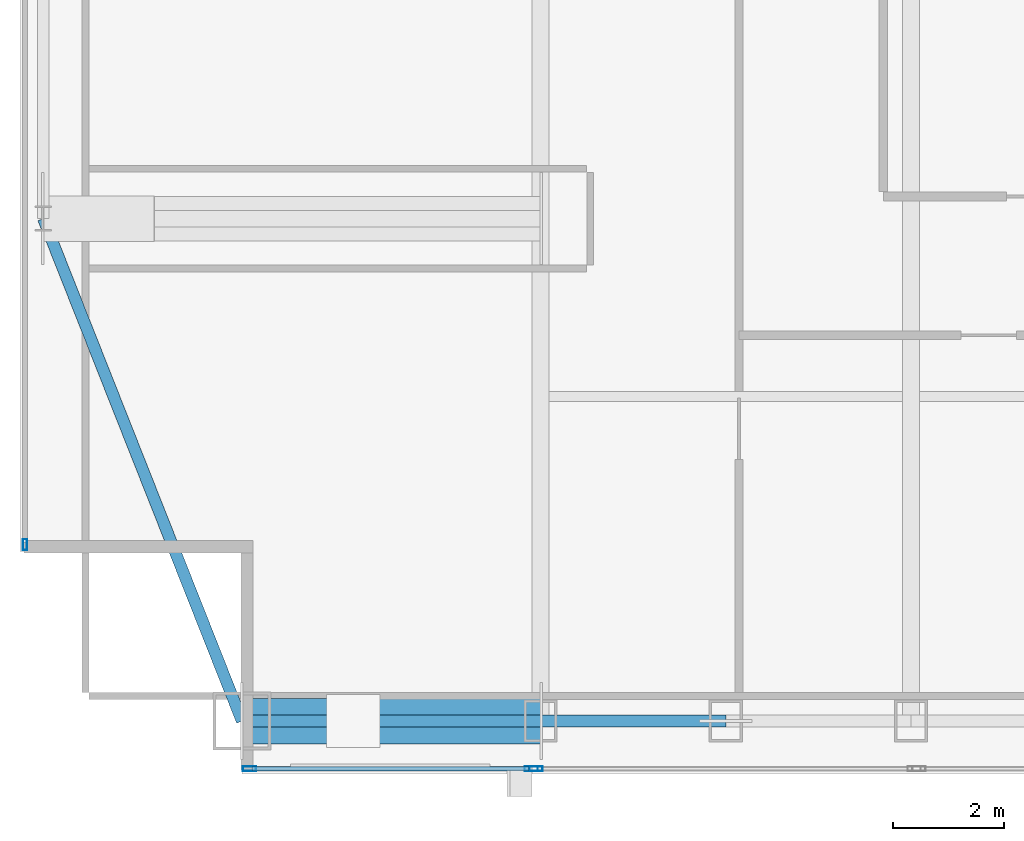
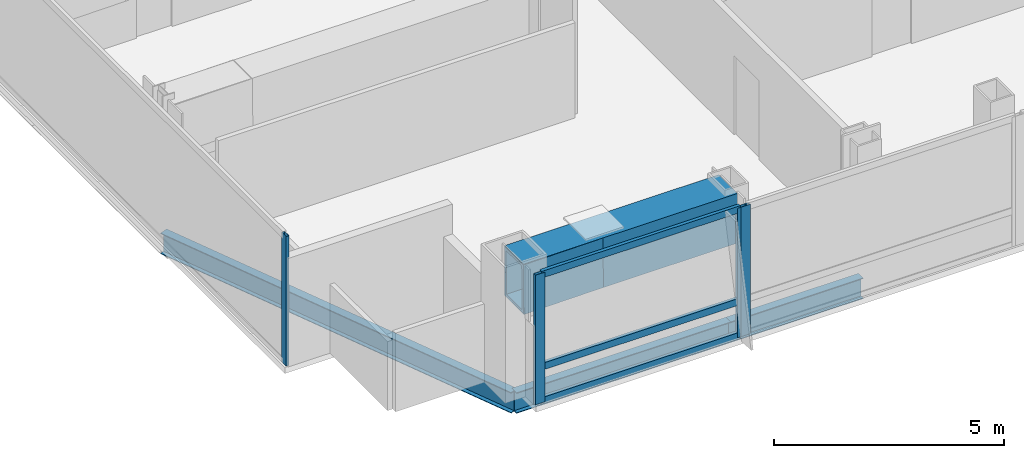
# One storey, part 5 of 26: 7 members, 5 beams, 3 elements without a shape of their own.
"""IFC4 building model written with IfcOpenShell, lengths in metres."""

from ifc_helpers import new_model, si_unit, direction, frame, origin, origin_2d, place, context, subcontext, project, spatial, hollow_rectangle, i_section, extrude, material, material_profile, profile_set, type_object, element, aggregate, save


model = new_model("IFC4")

# Units and contexts
model_context = context("Model", 3, precision=1e-05, world=origin(), true_north=direction((0.0, 1.0)))
body_context = subcontext(model_context, "Body", "Model", "MODEL_VIEW")
ifc_project = project(units=[si_unit("LENGTHUNIT", "METRE"), si_unit("AREAUNIT", "SQUARE_METRE"), si_unit("VOLUMEUNIT", "CUBIC_METRE"), si_unit("PLANEANGLEUNIT", "RADIAN"), si_unit("MASSUNIT", "GRAM", prefix="KILO")], contexts=[model_context])

# Site, building, storey
site_placement = place(None, origin())
site = spatial("IfcSite", under=ifc_project, at=site_placement, CompositionType="ELEMENT")
building_placement = place(site_placement, origin())
building = spatial("IfcBuilding", under=site, at=building_placement, Name="Khoronbel Lancet Exchange", CompositionType="ELEMENT")
storey_placement = place(building_placement, frame((0.0, 0.0, 287.800048828125)))
storey = spatial("IfcBuildingStorey", under=building, at=storey_placement, Name="L74", CompositionType="ELEMENT", Elevation=287.800048828125)

# Beams
ifc_material_1 = material(Name="Steel S355", Category="steel")
ifc_material_profile_1 = material_profile(ifc_material_1, i_section(OverallWidth=0.2099609375, OverallDepth=0.550048828125, WebThickness=0.010986328125, FlangeThickness=0.01708984375, at=origin_2d()), Name="IPE 550")
ifc_profile_set_1 = profile_set([ifc_material_profile_1], Name="Steel S355")
beam_type_1 = type_object("IfcBeamType", Name="BM-BSP3", PredefinedType="SPANDREL", material=ifc_profile_set_1)
beam_1_placement = place(storey_placement, frame((12.85009765625, 10.14990234375, -0.43505859375), z_axis=(1.0, 0.0, 0.0), x_axis=(0.0, 1.0, 0.0)))
element("IfcBeam", 1, at=beam_1_placement, inside=storey, type_object=beam_type_1, Name="Level L74 perimeter spandrel beam SP01", PredefinedType="SPANDREL", context=body_context, shape_type="SweptSolid", body=[
    extrude(i_section(OverallWidth=0.2099609375, OverallDepth=0.550048828125, WebThickness=0.010986328125, FlangeThickness=0.01708984375, at=origin_2d()), origin(), (0.0, 0.0, 1.0), 5.375),
])
beam_2_placement = place(storey_placement, frame((18.22509765625, 10.14990234375, -0.43505859375), z_axis=(1.0, 0.0, 0.0), x_axis=(0.0, 1.0, 0.0)))
element("IfcBeam", 2, at=beam_2_placement, inside=storey, type_object=beam_type_1, Name="Level L74 perimeter spandrel beam SP02", PredefinedType="SPANDREL", context=body_context, shape_type="SweptSolid", body=[
    extrude(i_section(OverallWidth=0.2099609375, OverallDepth=0.550048828125, WebThickness=0.010986328125, FlangeThickness=0.01708984375, at=origin_2d()), origin(), (0.0, 0.0, 1.0), 3.33740234375),
])
beam_3_placement = place(storey_placement, frame((9.27001953125, 19.199951171875, -0.43505859375), z_axis=(0.367850095026, -0.92988510451, 0.0), x_axis=(0.92988510451, 0.367850095026, 0.0)))
element("IfcBeam", 3, at=beam_3_placement, inside=storey, type_object=beam_type_1, Name="Level L74 perimeter spandrel beam SP21", PredefinedType="SPANDREL", context=body_context, shape_type="SweptSolid", body=[
    extrude(i_section(OverallWidth=0.2099609375, OverallDepth=0.550048828125, WebThickness=0.010986328125, FlangeThickness=0.01708984375, at=origin_2d()), origin(), (0.0, 0.0, 1.0), 9.732421875),
])
ifc_material_2 = material(Name="Steel S460", Category="steel")
ifc_material_profile_2 = material_profile(ifc_material_2, hollow_rectangle(XDim=0.820068359375, YDim=1.320068359375, WallThickness=0.070068359375, at=origin_2d()), Name="BOX 820x1320x70")
ifc_profile_set_2 = profile_set([ifc_material_profile_2], Name="Steel S460")
beam_type_2 = type_object("IfcBeamType", Name="BM-TG4", PredefinedType="USERDEFINED", material=ifc_profile_set_2)
beam_4_placement = place(storey_placement, frame((12.85009765625, 10.14990234375, 2.760009765625), z_axis=(0.99994990606, 0.0, 0.010009264196), x_axis=(0.0, 1.0, 0.0)))
element("IfcBeam", 4, at=beam_4_placement, inside=storey, type_object=beam_type_2, Name="Setback transfer knee-brace girder L74-MC-SW", ObjectType="TRANSFER GIRDER", PredefinedType="USERDEFINED", context=body_context, shape_type="SweptSolid", body=[
    extrude(hollow_rectangle(XDim=0.820068359375, YDim=1.320068359375, WallThickness=0.070068359375, at=origin_2d()), origin(), (0.0, 0.0, 1.0), 2.0),
])
beam_5_placement = place(storey_placement, frame((12.85009765625, 10.14990234375, 2.780029296875), z_axis=(1.0, 0.0, 0.0), x_axis=(0.0, 1.0, 0.0)))
element("IfcBeam", 5, at=beam_5_placement, inside=storey, type_object=beam_type_2, Name="Corner mega-column setback transfer girder L74-SW", ObjectType="TRANSFER GIRDER", PredefinedType="USERDEFINED", context=body_context, shape_type="SweptSolid", body=[
    extrude(hollow_rectangle(XDim=0.820068359375, YDim=1.320068359375, WallThickness=0.070068359375, at=origin_2d()), origin(), (0.0, 0.0, 1.0), 5.375),
])

# Curtain wall, members
ifc_material_3 = material(Name="Low-E Solar Control Insulating Glass", Category="glass")
curtain_wall_type_1 = type_object("IfcCurtainWallType", Name="CW-3", PredefinedType="NOTDEFINED", material=ifc_material_3)
curtain_wall_1_placement = place(storey_placement, origin())
curtain_wall_1 = element("IfcCurtainWall", 6, at=curtain_wall_1_placement, inside=storey, type_object=curtain_wall_type_1, Name="Unitised curtain wall CW-L74-SWV", PredefinedType="NOTDEFINED")
ifc_material_4 = material(Name="Bronze-Anodised Aluminium 6063-T6", Category="aluminium")
ifc_material_profile_3 = material_profile(ifc_material_4, hollow_rectangle(XDim=0.0849609375, YDim=0.239990234375, WallThickness=0.006103515625, at=origin_2d()), Name="ALU MULLION 85x240")
ifc_profile_set_3 = profile_set([ifc_material_profile_3], Name="Bronze-Anodised Aluminium 6063-T6")
member_type_1 = type_object("IfcMemberType", Name="MEM-CWM1", PredefinedType="MULLION", material=ifc_profile_set_3)
member_1_placement = place(storey_placement, frame((12.982421875, 9.2900390625, 0.0), z_axis=(0.0, 0.0, 1.0), x_axis=(0.0, 1.0, 0.0)))
member_1 = element("IfcMember", 7, at=member_1_placement, type_object=member_type_1, Name="CW3 mullion 1", PredefinedType="MULLION", context=body_context, shape_type="SweptSolid", body=[
    extrude(hollow_rectangle(XDim=0.0849609375, YDim=0.239990234375, WallThickness=0.006103515625, at=origin_2d()), origin(), (0.0, 0.0, 1.0), 3.43994140625),
])
member_2_placement = place(storey_placement, frame((18.0576171875, 9.2900390625, 0.0), z_axis=(0.0, 0.0, 1.0), x_axis=(0.0, 1.0, 0.0)))
member_2 = element("IfcMember", 8, at=member_2_placement, type_object=member_type_1, Name="CW3 mullion 2", PredefinedType="MULLION", context=body_context, shape_type="SweptSolid", body=[
    extrude(hollow_rectangle(XDim=0.0849609375, YDim=0.239990234375, WallThickness=0.006103515625, at=origin_2d()), origin(), (0.0, 0.0, 1.0), 3.43994140625),
])

# Curtain wall, member
curtain_wall_2_placement = place(storey_placement, origin())
curtain_wall_2 = element("IfcCurtainWall", 9, at=curtain_wall_2_placement, inside=storey, type_object=curtain_wall_type_1, Name="Unitised curtain wall CW-L74-SWB", PredefinedType="NOTDEFINED")
member_3_placement = place(storey_placement, frame((18.142578125, 9.2900390625, 0.0), z_axis=(0.0, 0.0, 1.0), x_axis=(0.0, 1.0, 0.0)))
member_3 = element("IfcMember", 10, at=member_3_placement, type_object=member_type_1, Name="CW3 mullion 1", PredefinedType="MULLION", context=body_context, shape_type="SweptSolid", body=[
    extrude(hollow_rectangle(XDim=0.0849609375, YDim=0.239990234375, WallThickness=0.006103515625, at=origin_2d()), origin(), (0.0, 0.0, 1.0), 3.43994140625),
])
aggregate(curtain_wall_2, [member_3])

curtain_wall_type_2 = type_object("IfcCurtainWallType", Name="CW-4", PredefinedType="NOTDEFINED", material=ifc_material_3)
curtain_wall_3_placement = place(storey_placement, origin())
curtain_wall_3 = element("IfcCurtainWall", 11, at=curtain_wall_3_placement, inside=storey, type_object=curtain_wall_type_2, Name="Unitised curtain wall CW-L74-E03", PredefinedType="NOTDEFINED")
ifc_material_profile_4 = material_profile(ifc_material_4, hollow_rectangle(XDim=0.074951171875, YDim=0.199951171875, WallThickness=0.0048828125, at=origin_2d()), Name="ALU MULLION 75x200")
ifc_profile_set_4 = profile_set([ifc_material_profile_4], Name="Bronze-Anodised Aluminium 6063-T6")
member_type_2 = type_object("IfcMemberType", Name="MEM-CWM2", PredefinedType="MULLION", material=ifc_profile_set_4)
member_4_placement = place(storey_placement, frame((8.93994140625, 13.327392578125, 0.0), z_axis=(0.0, 0.0, 1.0), x_axis=(-1.0, 0.0, 0.0)))
member_4 = element("IfcMember", 12, at=member_4_placement, type_object=member_type_2, Name="CW4 mullion 1", PredefinedType="MULLION", context=body_context, shape_type="SweptSolid", body=[
    extrude(hollow_rectangle(XDim=0.074951171875, YDim=0.199951171875, WallThickness=0.0048828125, at=origin_2d()), origin(), (0.0, 0.0, 1.0), 3.43994140625),
])
aggregate(curtain_wall_3, [member_4])

# Member
ifc_material_profile_5 = material_profile(ifc_material_4, hollow_rectangle(XDim=0.0849609375, YDim=0.179931640625, WallThickness=0.0048828125, at=origin_2d()), Name="ALU TRANSOM 85x180")
ifc_profile_set_5 = profile_set([ifc_material_profile_5], Name="Bronze-Anodised Aluminium 6063-T6")
member_type_3 = type_object("IfcMemberType", Name="MEM-CWT1", PredefinedType="USERDEFINED", material=ifc_profile_set_5)
member_5_placement = place(storey_placement, frame((13.02490234375, 9.2900390625, 0.04248046875), z_axis=(1.0, 0.0, 0.0), x_axis=(0.0, 1.0, 0.0)))
member_5 = element("IfcMember", 13, at=member_5_placement, type_object=member_type_3, Name="CW3 transom 1.1", ObjectType="TRANSOM", PredefinedType="USERDEFINED", context=body_context, shape_type="SweptSolid", body=[
    extrude(hollow_rectangle(XDim=0.0849609375, YDim=0.179931640625, WallThickness=0.0048828125, at=origin_2d()), origin(), (0.0, 0.0, 1.0), 4.989990234375),
])

member_6_placement = place(storey_placement, frame((13.02490234375, 9.2900390625, 0.949951171875), z_axis=(1.0, 0.0, 0.0), x_axis=(0.0, 1.0, 0.0)))
member_6 = element("IfcMember", 14, at=member_6_placement, type_object=member_type_3, Name="CW3 transom 1.2", ObjectType="TRANSOM", PredefinedType="USERDEFINED", context=body_context, shape_type="SweptSolid", body=[
    extrude(hollow_rectangle(XDim=0.0849609375, YDim=0.179931640625, WallThickness=0.0048828125, at=origin_2d()), origin(), (0.0, 0.0, 1.0), 4.989990234375),
])

member_7_placement = place(storey_placement, frame((13.02490234375, 9.2900390625, 3.3974609375), z_axis=(1.0, 0.0, 0.0), x_axis=(0.0, 1.0, 0.0)))
member_7 = element("IfcMember", 15, at=member_7_placement, type_object=member_type_3, Name="CW3 transom 1.3", ObjectType="TRANSOM", PredefinedType="USERDEFINED", context=body_context, shape_type="SweptSolid", body=[
    extrude(hollow_rectangle(XDim=0.0849609375, YDim=0.179931640625, WallThickness=0.0048828125, at=origin_2d()), origin(), (0.0, 0.0, 1.0), 4.989990234375),
])

aggregate(curtain_wall_1, [member_1, member_2, member_5, member_6, member_7])

save(model, "model.ifc")
